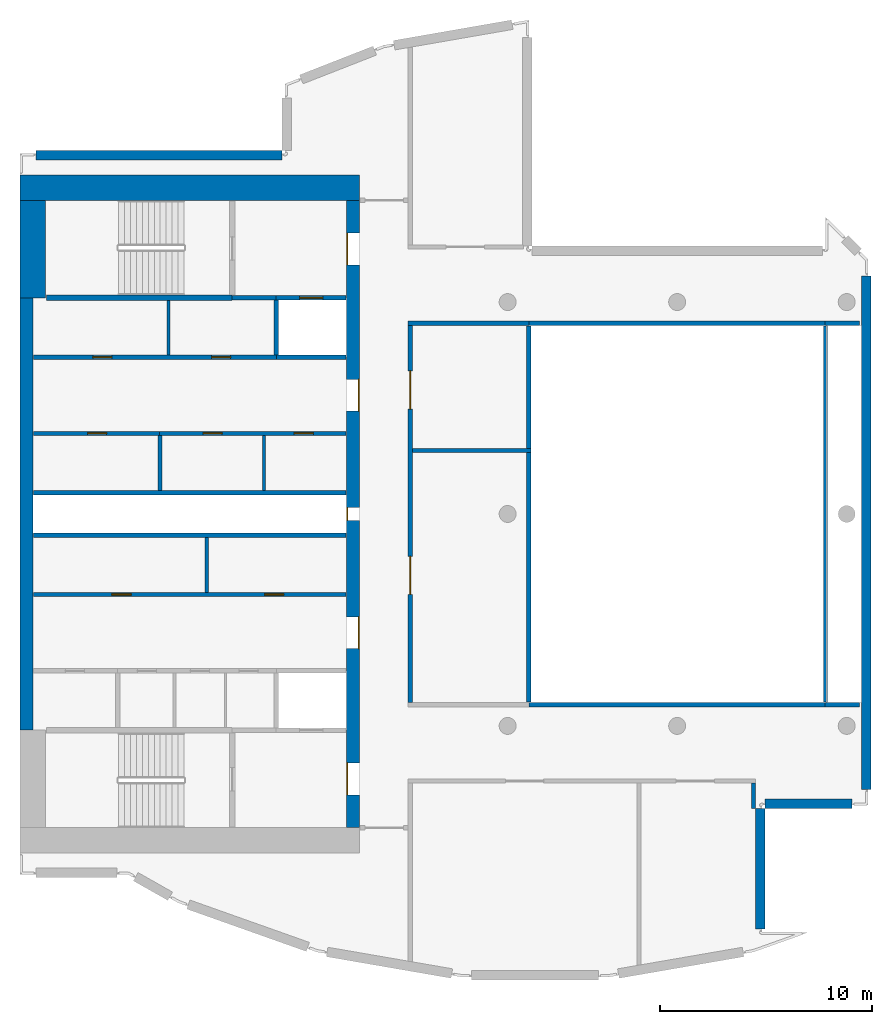
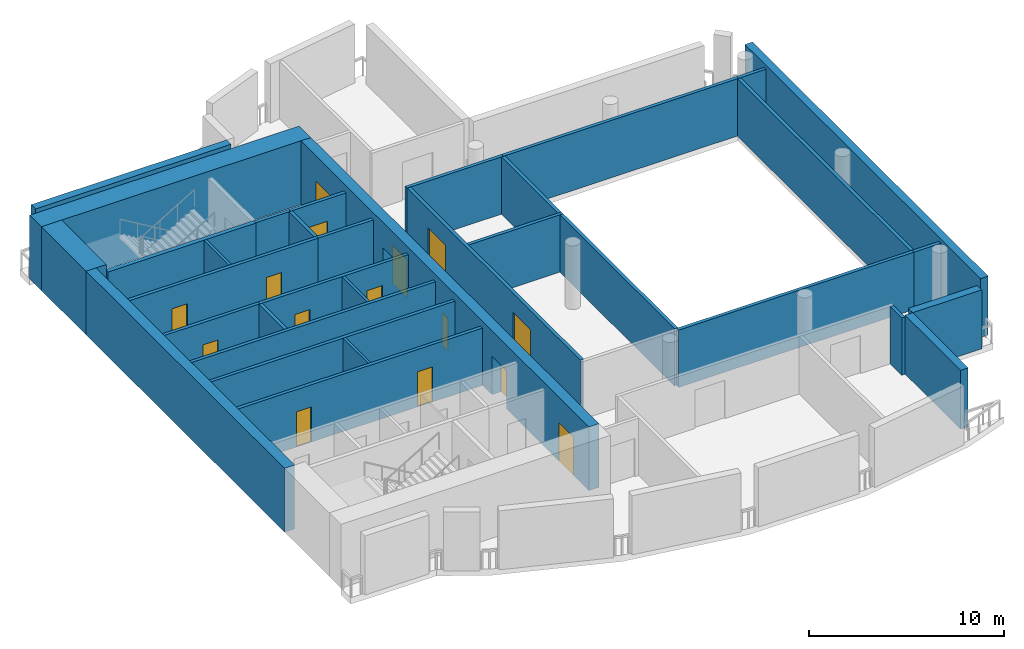
# One storey, part 2 of 8: 34 walls, 15 doors, 15 openings.
"""IFC4 building model written with IfcOpenShell, lengths in metres."""

from ifc_helpers import new_model, si_unit, direction, frame, frame_2d, origin, place, context, subcontext, project, spatial, rectangle, extrude, material, layer, layer_set, type_object, element, fill, save


model = new_model("IFC4")

# Units and contexts
model_context = context("Model", 3, precision=1e-05, world=origin(), true_north=direction((0.0, 1.0)))
body_context = subcontext(model_context, "Body", "Model", "MODEL_VIEW")
ifc_project = project(units=[si_unit("LENGTHUNIT", "METRE"), si_unit("AREAUNIT", "SQUARE_METRE"), si_unit("VOLUMEUNIT", "CUBIC_METRE"), si_unit("PLANEANGLEUNIT", "RADIAN"), si_unit("MASSUNIT", "GRAM", prefix="KILO")], contexts=[model_context])

# Site, building, storey
site_placement = place(None, origin())
site = spatial("IfcSite", under=ifc_project, at=site_placement, CompositionType="ELEMENT")
building_placement = place(site_placement, origin())
building = spatial("IfcBuilding", under=site, at=building_placement, Name="Cypress Arch Tower", CompositionType="ELEMENT")
storey_placement = place(building_placement, frame((0.0, 0.0, 351.0)))
storey = spatial("IfcBuildingStorey", under=building, at=storey_placement, Name="L80", CompositionType="ELEMENT", Elevation=351.0)

# Walls
ifc_material_1 = material(Name="Brick (red buff blend)", Category="masonry")
ifc_layer_1 = layer(ifc_material_1, 0.449951171875)
ifc_layer_set_1 = layer_set([ifc_layer_1], Name="Brick belt wall BW450-B")
wall_type_1 = type_object("IfcWallType", Name="Brick belt wall BW450-B", PredefinedType="SOLIDWALL", material=ifc_layer_set_1)
wall_1_placement = place(storey_placement, frame((4.925048828125, -19.590087890625, 0.0), z_axis=(0.0, 0.0, 1.0), x_axis=(0.0, 1.0, 0.0)))
element("IfcWall", 1, at=wall_1_placement, inside=storey, type_object=wall_type_1, Name="Brick wall L80 K08.0", PredefinedType="SOLIDWALL", context=body_context, shape_type="SweptSolid", body=[
    extrude(rectangle(XDim=5.7001953125, YDim=0.449951171875, at=frame_2d((2.85009765625, 0.0))), origin(), (0.0, 0.0, 1.0), 3.699951171875),
])
wall_2_placement = place(storey_placement, frame((5.14990234375, -13.6650390625, 0.0), z_axis=(0.0, 0.0, 1.0), x_axis=(1.0, 0.0, 0.0)))
element("IfcWall", 2, at=wall_2_placement, inside=storey, type_object=wall_type_1, Name="Brick wall L80 K09.0", PredefinedType="SOLIDWALL", context=body_context, shape_type="SweptSolid", body=[
    extrude(rectangle(XDim=4.10009765625, YDim=0.449951171875, at=frame_2d((2.050048828125, 0.0))), origin(), (0.0, 0.0, 1.0), 3.699951171875),
])
wall_3_placement = place(storey_placement, frame((9.925048828125, -12.989990234375, 0.0), z_axis=(0.0, 0.0, 1.0), x_axis=(0.0, 1.0, 0.0)))
element("IfcWall", 3, at=wall_3_placement, inside=storey, type_object=wall_type_1, Name="Brick wall L80 K10.0", PredefinedType="SOLIDWALL", context=body_context, shape_type="SweptSolid", body=[
    extrude(rectangle(XDim=24.229248046875, YDim=0.449951171875, at=frame_2d((12.11474609375, 0.0))), origin(), (0.0, 0.0, 1.0), 3.699951171875),
])
wall_4_placement = place(storey_placement, frame((-17.64990234375, 16.925048828125, 0.0), z_axis=(0.0, 0.0, 1.0), x_axis=(-1.0, 0.0, 0.0)))
element("IfcWall", 4, at=wall_4_placement, inside=storey, type_object=wall_type_1, Name="Brick wall L80 K18.0", PredefinedType="SOLIDWALL", context=body_context, shape_type="SweptSolid", body=[
    extrude(rectangle(XDim=11.60009765625, YDim=0.449951171875, at=frame_2d((5.800048828125, 0.0))), origin(), (0.0, 0.0, 1.0), 3.699951171875),
])
ifc_material_2 = material(Name="Concrete C50/60", Category="concrete")
ifc_layer_2 = layer(ifc_material_2, 1.199951171875)
ifc_layer_set_2 = layer_set([ifc_layer_2], Name="Core wall CW1200 C50/60")
wall_type_2 = type_object("IfcWallType", Name="Core wall CW1200 C50/60", PredefinedType="SHEAR", material=ifc_layer_set_2)
wall_5_placement = place(storey_placement, frame((-30.0, 15.39990234375, 0.0), z_axis=(0.0, 0.0, 1.0), x_axis=(1.0, 0.0, 0.0)))
element("IfcWall", 5, at=wall_5_placement, inside=storey, type_object=wall_type_2, Name="Core wall", PredefinedType="SHEAR", context=body_context, shape_type="SweptSolid", body=[
    extrude(rectangle(XDim=16.0, YDim=1.199951171875, at=frame_2d((8.0, 0.0))), origin(), (0.0, 0.0, 1.0), 4.0),
])
wall_6_placement = place(storey_placement, frame((-29.39990234375, 10.199951171875, 0.0), z_axis=(0.0, 0.0, 1.0), x_axis=(0.0, 1.0, 0.0)))
element("IfcWall", 6, at=wall_6_placement, inside=storey, type_object=wall_type_2, Name="Core wall", PredefinedType="SHEAR", context=body_context, shape_type="SweptSolid", body=[
    extrude(rectangle(XDim=4.60009765625, YDim=1.199951171875, at=frame_2d((2.300048828125, 0.0))), origin(), (0.0, 0.0, 1.0), 4.0),
])

# Wall, openings, doors
ifc_material_3 = material(Name="Concrete C50/60", Category="concrete")
ifc_layer_3 = layer(ifc_material_3, 0.60009765625)
ifc_layer_set_3 = layer_set([ifc_layer_3], Name="Core wall CW600 C50/60")
wall_type_3 = type_object("IfcWallType", Name="Core wall CW600 C50/60", PredefinedType="SHEAR", material=ifc_layer_set_3)
wall_7_placement = place(storey_placement, frame((-14.300048828125, -14.800048828125, 0.0), z_axis=(0.0, 0.0, 1.0), x_axis=(0.0, 1.0, 0.0)))
wall_7 = element("IfcWall", 7, at=wall_7_placement, inside=storey, type_object=wall_type_3, Name="Core wall", PredefinedType="SHEAR", context=body_context, shape_type="SweptSolid", body=[
    extrude(rectangle(XDim=29.60009765625, YDim=0.60009765625, at=frame_2d((14.800048828125, 0.0))), origin(), (0.0, 0.0, 1.0), 4.0),
])
opening_1_placement = place(wall_7_placement, frame((1.550048828125, 0.0, 0.0)))
opening_1 = element("IfcOpeningElement", 8, at=opening_1_placement, cuts=wall_7, Name="Opening D07", PredefinedType="OPENING", context=body_context, shape_type="SweptSolid", body=[
    extrude(rectangle(XDim=1.5, YDim=2.39990234375, at=frame_2d((0.75, 1.199951171875))), frame((0.0, 0.31005859375, 0.0), z_axis=(0.0, -1.0, 0.0), x_axis=(1.0, 0.0, 0.0)), (0.0, 0.0, 1.0), 0.6201171875),
])
opening_2_placement = place(wall_7_placement, frame((26.550048828125, 0.0, 0.0)))
opening_2 = element("IfcOpeningElement", 9, at=opening_2_placement, cuts=wall_7, Name="Opening D07", PredefinedType="OPENING", context=body_context, shape_type="SweptSolid", body=[
    extrude(rectangle(XDim=1.5, YDim=2.39990234375, at=frame_2d((0.75, 1.199951171875))), frame((0.0, 0.31005859375, 0.0), z_axis=(0.0, -1.0, 0.0), x_axis=(1.0, 0.0, 0.0)), (0.0, 0.0, 1.0), 0.6201171875),
])
opening_3_placement = place(wall_7_placement, frame((8.449951171875, 0.0, 0.0)))
opening_3 = element("IfcOpeningElement", 10, at=opening_3_placement, cuts=wall_7, Name="Opening D07", PredefinedType="OPENING", context=body_context, shape_type="SweptSolid", body=[
    extrude(rectangle(XDim=1.5, YDim=2.39990234375, at=frame_2d((0.75, 1.199951171875))), frame((0.0, 0.31005859375, 0.0), z_axis=(0.0, -1.0, 0.0), x_axis=(1.0, 0.0, 0.0)), (0.0, 0.0, 1.0), 0.6201171875),
])
opening_4_placement = place(wall_7_placement, frame((19.64990234375, 0.0, 0.0)))
opening_4 = element("IfcOpeningElement", 11, at=opening_4_placement, cuts=wall_7, Name="Opening D07", PredefinedType="OPENING", context=body_context, shape_type="SweptSolid", body=[
    extrude(rectangle(XDim=1.5, YDim=2.39990234375, at=frame_2d((0.75, 1.199951171875))), frame((0.0, 0.31005859375, 0.0), z_axis=(0.0, -1.0, 0.0), x_axis=(1.0, 0.0, 0.0)), (0.0, 0.0, 1.0), 0.6201171875),
])
opening_5_placement = place(wall_7_placement, frame((14.5, 0.0, 0.0)))
opening_5 = element("IfcOpeningElement", 12, at=opening_5_placement, cuts=wall_7, Name="Opening D08", PredefinedType="OPENING", context=body_context, shape_type="SweptSolid", body=[
    extrude(rectangle(XDim=0.60009765625, YDim=2.0, at=frame_2d((0.300048828125, 1.0))), frame((0.0, 0.31005859375, 0.0), z_axis=(0.0, -1.0, 0.0), x_axis=(1.0, 0.0, 0.0)), (0.0, 0.0, 1.0), 0.6201171875),
])
ifc_material_4 = material(Name="Steel framed glazed door, fire resisting", Category="steel")
door_type_1 = type_object("IfcDoorType", Name="Lobby door D07 1500x2400", OperationType="DOUBLE_DOOR_SINGLE_SWING", PredefinedType="DOOR", material=ifc_material_4)
door_1_placement = place(opening_1_placement, origin())
door_1 = element("IfcDoor", 13, at=door_1_placement, inside=storey, type_object=door_type_1, Name="Lobby door", OperationType="DOUBLE_DOOR_SINGLE_SWING", OverallHeight=2.39990234375, OverallWidth=1.5, PredefinedType="DOOR", context=body_context, shape_type="SweptSolid", body=[
    extrude(rectangle(XDim=1.5, YDim=2.39990234375, at=frame_2d((0.75, 1.199951171875))), frame((0.0, 0.294921875, 0.0), z_axis=(0.0, -1.0, 0.0), x_axis=(1.0, 0.0, 0.0)), (0.0, 0.0, 1.0), 0.050048828125),
])
fill(opening_1, door_1)
door_2_placement = place(opening_2_placement, origin())
door_2 = element("IfcDoor", 14, at=door_2_placement, inside=storey, type_object=door_type_1, Name="Lobby door", OperationType="DOUBLE_DOOR_SINGLE_SWING", OverallHeight=2.39990234375, OverallWidth=1.5, PredefinedType="DOOR", context=body_context, shape_type="SweptSolid", body=[
    extrude(rectangle(XDim=1.5, YDim=2.39990234375, at=frame_2d((0.75, 1.199951171875))), frame((0.0, 0.294921875, 0.0), z_axis=(0.0, -1.0, 0.0), x_axis=(1.0, 0.0, 0.0)), (0.0, 0.0, 1.0), 0.050048828125),
])
fill(opening_2, door_2)
door_3_placement = place(opening_3_placement, origin())
door_3 = element("IfcDoor", 15, at=door_3_placement, inside=storey, type_object=door_type_1, Name="Lobby door", OperationType="DOUBLE_DOOR_SINGLE_SWING", OverallHeight=2.39990234375, OverallWidth=1.5, PredefinedType="DOOR", context=body_context, shape_type="SweptSolid", body=[
    extrude(rectangle(XDim=1.5, YDim=2.39990234375, at=frame_2d((0.75, 1.199951171875))), frame((0.0, -0.2451171875, 0.0), z_axis=(0.0, -1.0, 0.0), x_axis=(1.0, 0.0, 0.0)), (0.0, 0.0, 1.0), 0.050048828125),
])
fill(opening_3, door_3)
door_4_placement = place(opening_4_placement, origin())
door_4 = element("IfcDoor", 16, at=door_4_placement, inside=storey, type_object=door_type_1, Name="Lobby door", OperationType="DOUBLE_DOOR_SINGLE_SWING", OverallHeight=2.39990234375, OverallWidth=1.5, PredefinedType="DOOR", context=body_context, shape_type="SweptSolid", body=[
    extrude(rectangle(XDim=1.5, YDim=2.39990234375, at=frame_2d((0.75, 1.199951171875))), frame((0.0, -0.2451171875, 0.0), z_axis=(0.0, -1.0, 0.0), x_axis=(1.0, 0.0, 0.0)), (0.0, 0.0, 1.0), 0.050048828125),
])
fill(opening_4, door_4)
ifc_material_5 = material(Name="Steel access door, fire resisting", Category="steel")
door_type_2 = type_object("IfcDoorType", Name="Riser access door D08 600x2000", OperationType="SINGLE_SWING_LEFT", PredefinedType="DOOR", material=ifc_material_5)
door_5_placement = place(opening_5_placement, origin())
door_5 = element("IfcDoor", 17, at=door_5_placement, inside=storey, type_object=door_type_2, Name="Riser access door", OperationType="SINGLE_SWING_RIGHT", OverallHeight=2.0, OverallWidth=0.60009765625, PredefinedType="DOOR", context=body_context, shape_type="SweptSolid", body=[
    extrude(rectangle(XDim=0.60009765625, YDim=2.0, at=frame_2d((0.300048828125, 1.0))), frame((0.0, 0.294921875, 0.0), z_axis=(0.0, -1.0, 0.0), x_axis=(1.0, 0.0, 0.0)), (0.0, 0.0, 1.0), 0.050048828125),
])
fill(opening_5, door_5)

# Wall
wall_8_placement = place(storey_placement, frame((-29.699951171875, -10.199951171875, 0.0), z_axis=(0.0, 0.0, 1.0), x_axis=(0.0, 1.0, 0.0)))
element("IfcWall", 18, at=wall_8_placement, inside=storey, type_object=wall_type_3, Name="Core wall", PredefinedType="SHEAR", context=body_context, shape_type="SweptSolid", body=[
    extrude(rectangle(XDim=20.39990234375, YDim=0.60009765625, at=frame_2d((10.199951171875, 0.0))), origin(), (0.0, 0.0, 1.0), 4.0),
])

# Wall, openings, doors
ifc_material_6 = material(Name="Concrete blockwork, plastered, rated", Category="masonry")
ifc_layer_4 = layer(ifc_material_6, 0.199951171875)
ifc_layer_set_4 = layer_set([ifc_layer_4], Name="Corridor wall FW200")
wall_type_4 = type_object("IfcWallType", Name="Corridor wall FW200", PredefinedType="PARTITIONING", material=ifc_layer_set_4)
wall_9_placement = place(storey_placement, frame((-29.3701171875, -3.800048828125, 0.0), z_axis=(0.0, 0.0, 1.0), x_axis=(1.0, 0.0, 0.0)))
wall_9 = element("IfcWall", 19, at=wall_9_placement, inside=storey, type_object=wall_type_4, Name="Corridor wall", PredefinedType="PARTITIONING", context=body_context, shape_type="SweptSolid", body=[
    extrude(rectangle(XDim=14.740234375, YDim=0.199951171875, at=frame_2d((7.3701171875, 0.0))), origin(), (0.0, 0.0, 1.0), 3.597900390625),
])
opening_6_placement = place(wall_9_placement, frame((3.699951171875, 0.0, 0.0)))
opening_6 = element("IfcOpeningElement", 20, at=opening_6_placement, cuts=wall_9, Name="Opening D05", PredefinedType="OPENING", context=body_context, shape_type="SweptSolid", body=[
    extrude(rectangle(XDim=0.89990234375, YDim=2.199951171875, at=frame_2d((0.449951171875, 1.10009765625))), frame((0.0, 0.10986328125, 0.0), z_axis=(0.0, -1.0, 0.0), x_axis=(1.0, 0.0, 0.0)), (0.0, 0.0, 1.0), 0.219970703125),
])
opening_7_placement = place(wall_9_placement, frame((10.89990234375, 0.0, 0.0)))
opening_7 = element("IfcOpeningElement", 21, at=opening_7_placement, cuts=wall_9, Name="Opening D05", PredefinedType="OPENING", context=body_context, shape_type="SweptSolid", body=[
    extrude(rectangle(XDim=0.89990234375, YDim=2.199951171875, at=frame_2d((0.449951171875, 1.10009765625))), frame((0.0, 0.10986328125, 0.0), z_axis=(0.0, -1.0, 0.0), x_axis=(1.0, 0.0, 0.0)), (0.0, 0.0, 1.0), 0.219970703125),
])
ifc_material_7 = material(Name="Timber flush door", Category="wood")
door_type_3 = type_object("IfcDoorType", Name="Service door D05 900x2200", OperationType="SINGLE_SWING_LEFT", PredefinedType="DOOR", material=ifc_material_7)
door_6_placement = place(opening_6_placement, origin())
door_6 = element("IfcDoor", 22, at=door_6_placement, inside=storey, type_object=door_type_3, Name="Service door", OperationType="SINGLE_SWING_LEFT", OverallHeight=2.199951171875, OverallWidth=0.89990234375, PredefinedType="DOOR", context=body_context, shape_type="SweptSolid", body=[
    extrude(rectangle(XDim=0.89990234375, YDim=2.199951171875, at=frame_2d((0.449951171875, 1.10009765625))), frame((0.0, 0.02490234375, 0.0), z_axis=(0.0, -1.0, 0.0), x_axis=(1.0, 0.0, 0.0)), (0.0, 0.0, 1.0), 0.050048828125),
])
fill(opening_6, door_6)
door_7_placement = place(opening_7_placement, origin())
door_7 = element("IfcDoor", 23, at=door_7_placement, inside=storey, type_object=door_type_3, Name="Service door", OperationType="SINGLE_SWING_LEFT", OverallHeight=2.199951171875, OverallWidth=0.89990234375, PredefinedType="DOOR", context=body_context, shape_type="SweptSolid", body=[
    extrude(rectangle(XDim=0.89990234375, YDim=2.199951171875, at=frame_2d((0.449951171875, 1.10009765625))), frame((0.0, 0.02490234375, 0.0), z_axis=(0.0, -1.0, 0.0), x_axis=(1.0, 0.0, 0.0)), (0.0, 0.0, 1.0), 0.050048828125),
])
fill(opening_7, door_7)

wall_10_placement = place(storey_placement, frame((-29.3701171875, 7.39990234375, 0.0), z_axis=(0.0, 0.0, 1.0), x_axis=(1.0, 0.0, 0.0)))
wall_10 = element("IfcWall", 24, at=wall_10_placement, inside=storey, type_object=wall_type_4, Name="Corridor wall", PredefinedType="PARTITIONING", context=body_context, shape_type="SweptSolid", body=[
    extrude(rectangle(XDim=11.47021484375, YDim=0.199951171875, at=frame_2d((5.735107421875, 0.0))), origin(), (0.0, 0.0, 1.0), 3.597900390625),
])
opening_8_placement = place(wall_10_placement, frame((2.800048828125, 0.0, 0.0)))
opening_8 = element("IfcOpeningElement", 25, at=opening_8_placement, cuts=wall_10, Name="Opening D05", PredefinedType="OPENING", context=body_context, shape_type="SweptSolid", body=[
    extrude(rectangle(XDim=0.89990234375, YDim=2.199951171875, at=frame_2d((0.449951171875, 1.10009765625))), frame((0.0, 0.10986328125, 0.0), z_axis=(0.0, -1.0, 0.0), x_axis=(1.0, 0.0, 0.0)), (0.0, 0.0, 1.0), 0.219970703125),
])
opening_9_placement = place(wall_10_placement, frame((8.39990234375, 0.0, 0.0)))
opening_9 = element("IfcOpeningElement", 26, at=opening_9_placement, cuts=wall_10, Name="Opening D05", PredefinedType="OPENING", context=body_context, shape_type="SweptSolid", body=[
    extrude(rectangle(XDim=0.89990234375, YDim=2.199951171875, at=frame_2d((0.449951171875, 1.10009765625))), frame((0.0, 0.10986328125, 0.0), z_axis=(0.0, -1.0, 0.0), x_axis=(1.0, 0.0, 0.0)), (0.0, 0.0, 1.0), 0.219970703125),
])
door_8_placement = place(opening_8_placement, origin())
door_8 = element("IfcDoor", 27, at=door_8_placement, inside=storey, type_object=door_type_3, Name="Service door", OperationType="SINGLE_SWING_RIGHT", OverallHeight=2.199951171875, OverallWidth=0.89990234375, PredefinedType="DOOR", context=body_context, shape_type="SweptSolid", body=[
    extrude(rectangle(XDim=0.89990234375, YDim=2.199951171875, at=frame_2d((0.449951171875, 1.10009765625))), frame((0.0, 0.02490234375, 0.0), z_axis=(0.0, -1.0, 0.0), x_axis=(1.0, 0.0, 0.0)), (0.0, 0.0, 1.0), 0.050048828125),
])
fill(opening_8, door_8)
door_9_placement = place(opening_9_placement, origin())
door_9 = element("IfcDoor", 28, at=door_9_placement, inside=storey, type_object=door_type_3, Name="Service door", OperationType="SINGLE_SWING_LEFT", OverallHeight=2.199951171875, OverallWidth=0.89990234375, PredefinedType="DOOR", context=body_context, shape_type="SweptSolid", body=[
    extrude(rectangle(XDim=0.89990234375, YDim=2.199951171875, at=frame_2d((0.449951171875, 1.10009765625))), frame((0.0, 0.02490234375, 0.0), z_axis=(0.0, -1.0, 0.0), x_axis=(1.0, 0.0, 0.0)), (0.0, 0.0, 1.0), 0.050048828125),
])
fill(opening_9, door_9)

wall_11_placement = place(storey_placement, frame((-23.419921875, 3.800048828125, 0.0), z_axis=(0.0, 0.0, 1.0), x_axis=(1.0, 0.0, 0.0)))
wall_11 = element("IfcWall", 29, at=wall_11_placement, inside=storey, type_object=wall_type_4, Name="Corridor wall", PredefinedType="PARTITIONING", context=body_context, shape_type="SweptSolid", body=[
    extrude(rectangle(XDim=8.7900390625, YDim=0.199951171875, at=frame_2d((4.39501953125, 0.0))), origin(), (0.0, 0.0, 1.0), 3.597900390625),
])
opening_10_placement = place(wall_11_placement, frame((2.050048828125, 0.0, 0.0)))
opening_10 = element("IfcOpeningElement", 30, at=opening_10_placement, cuts=wall_11, Name="Opening D05", PredefinedType="OPENING", context=body_context, shape_type="SweptSolid", body=[
    extrude(rectangle(XDim=0.89990234375, YDim=2.199951171875, at=frame_2d((0.449951171875, 1.10009765625))), frame((0.0, 0.10986328125, 0.0), z_axis=(0.0, -1.0, 0.0), x_axis=(1.0, 0.0, 0.0)), (0.0, 0.0, 1.0), 0.219970703125),
])
opening_11_placement = place(wall_11_placement, frame((6.35009765625, 0.0, 0.0)))
opening_11 = element("IfcOpeningElement", 31, at=opening_11_placement, cuts=wall_11, Name="Opening D05", PredefinedType="OPENING", context=body_context, shape_type="SweptSolid", body=[
    extrude(rectangle(XDim=0.89990234375, YDim=2.199951171875, at=frame_2d((0.449951171875, 1.10009765625))), frame((0.0, 0.10986328125, 0.0), z_axis=(0.0, -1.0, 0.0), x_axis=(1.0, 0.0, 0.0)), (0.0, 0.0, 1.0), 0.219970703125),
])
door_10_placement = place(opening_10_placement, origin())
door_10 = element("IfcDoor", 32, at=door_10_placement, inside=storey, type_object=door_type_3, Name="Service door", OperationType="SINGLE_SWING_LEFT", OverallHeight=2.199951171875, OverallWidth=0.89990234375, PredefinedType="DOOR", context=body_context, shape_type="SweptSolid", body=[
    extrude(rectangle(XDim=0.89990234375, YDim=2.199951171875, at=frame_2d((0.449951171875, 1.10009765625))), frame((0.0, 0.02490234375, 0.0), z_axis=(0.0, -1.0, 0.0), x_axis=(1.0, 0.0, 0.0)), (0.0, 0.0, 1.0), 0.050048828125),
])
fill(opening_10, door_10)
door_11_placement = place(opening_11_placement, origin())
door_11 = element("IfcDoor", 33, at=door_11_placement, inside=storey, type_object=door_type_3, Name="Service door", OperationType="SINGLE_SWING_RIGHT", OverallHeight=2.199951171875, OverallWidth=0.89990234375, PredefinedType="DOOR", context=body_context, shape_type="SweptSolid", body=[
    extrude(rectangle(XDim=0.89990234375, YDim=2.199951171875, at=frame_2d((0.449951171875, 1.10009765625))), frame((0.0, 0.02490234375, 0.0), z_axis=(0.0, -1.0, 0.0), x_axis=(1.0, 0.0, 0.0)), (0.0, 0.0, 1.0), 0.050048828125),
])
fill(opening_11, door_11)

# Walls
wall_12_placement = place(storey_placement, frame((-20.0, 10.199951171875, 0.0), z_axis=(0.0, 0.0, 1.0), x_axis=(1.0, 0.0, 0.0)))
element("IfcWall", 34, at=wall_12_placement, inside=storey, type_object=wall_type_4, Name="Corridor wall", PredefinedType="PARTITIONING", context=body_context, shape_type="SweptSolid", body=[
    extrude(rectangle(XDim=2.080078125, YDim=0.199951171875, at=frame_2d((1.0400390625, 0.0))), origin(), (0.0, 0.0, 1.0), 3.597900390625),
])
for number, where, z_axis, x_axis, name in (
    (35, (-5.97998046875, -9.0, 0.0), (0.0, 0.0, 1.0), (1.0, 0.0, 0.0), "Corridor wall"),
    (36, (-5.97998046875, 9.0, 0.0), (0.0, 0.0, 1.0), (1.0, 0.0, 0.0), "Corridor wall"),
):
    element("IfcWall", number, at=place(storey_placement, frame(where, z_axis=z_axis, x_axis=x_axis)), inside=storey, type_object=wall_type_4, Name=name, PredefinedType="PARTITIONING", context=body_context, shape_type="SweptSolid", body=[
        extrude(rectangle(XDim=13.9599609375, YDim=0.199951171875, at=frame_2d((6.97998046875, 0.0))), origin(), (0.0, 0.0, 1.0), 3.597900390625),
    ])
ifc_material_8 = material(Name="Blockwork, plastered both sides", Category="masonry")
ifc_layer_5 = layer(ifc_material_8, 0.14990234375)
ifc_layer_set_5 = layer_set([ifc_layer_5], Name="Partition PW150")
wall_type_5 = type_object("IfcWallType", Name="Partition PW150", PredefinedType="PARTITIONING", material=ifc_layer_set_5)
wall_13_placement = place(storey_placement, frame((-23.0, 7.5, 0.0), z_axis=(0.0, 0.0, 1.0), x_axis=(0.0, 1.0, 0.0)))
element("IfcWall", 37, at=wall_13_placement, inside=storey, type_object=wall_type_5, Name="Partition", PredefinedType="PARTITIONING", context=body_context, shape_type="SweptSolid", body=[
    extrude(rectangle(XDim=2.574951171875, YDim=0.14990234375, at=frame_2d((1.28759765625, 0.0))), origin(), (0.0, 0.0, 1.0), 3.597900390625),
])
for number, where, z_axis, x_axis, name in (
    (38, (-21.199951171875, -3.699951171875, 0.0), (0.0, 0.0, 1.0), (0.0, 1.0, 0.0), "Partition"),
    (39, (-18.5, 1.10009765625, 0.0), (0.0, 0.0, 1.0), (0.0, 1.0, 0.0), "Partition"),
):
    element("IfcWall", number, at=place(storey_placement, frame(where, z_axis=z_axis, x_axis=x_axis)), inside=storey, type_object=wall_type_5, Name=name, PredefinedType="PARTITIONING", context=body_context, shape_type="SweptSolid", body=[
        extrude(rectangle(XDim=2.599853515625, YDim=0.14990234375, at=frame_2d((1.2998046875, 0.0))), origin(), (0.0, 0.0, 1.0), 3.597900390625),
    ])
ifc_material_9 = material(Name="Reinforced blockwork, plastered, rated", Category="masonry")
ifc_layer_6 = layer(ifc_material_9, 0.199951171875)
ifc_layer_set_6 = layer_set([ifc_layer_6], Name="Plant and riser wall PL200")
wall_type_6 = type_object("IfcWallType", Name="Plant and riser wall PL200", PredefinedType="PARTITIONING", material=ifc_layer_set_6)
for number, where, z_axis, x_axis, name in (
    (40, (-29.3701171875, -1.0, 0.0), (0.0, 0.0, 1.0), (1.0, 0.0, 0.0), "Plant and riser wall"),
    (41, (-29.3701171875, 1.0, 0.0), (0.0, 0.0, 1.0), (1.0, 0.0, 0.0), "Plant and riser wall"),
):
    element("IfcWall", number, at=place(storey_placement, frame(where, z_axis=z_axis, x_axis=x_axis)), inside=storey, type_object=wall_type_6, Name=name, PredefinedType="PARTITIONING", context=body_context, shape_type="SweptSolid", body=[
        extrude(rectangle(XDim=14.740234375, YDim=0.199951171875, at=frame_2d((7.3701171875, 0.0))), origin(), (0.0, 0.0, 1.0), 3.597900390625),
    ])

# Wall, opening, door
wall_14_placement = place(storey_placement, frame((-29.3701171875, 3.800048828125, 0.0), z_axis=(0.0, 0.0, 1.0), x_axis=(1.0, 0.0, 0.0)))
wall_14 = element("IfcWall", 42, at=wall_14_placement, inside=storey, type_object=wall_type_6, Name="Plant and riser wall", PredefinedType="PARTITIONING", context=body_context, shape_type="SweptSolid", body=[
    extrude(rectangle(XDim=5.9501953125, YDim=0.199951171875, at=frame_2d((2.97509765625, 0.0))), origin(), (0.0, 0.0, 1.0), 3.597900390625),
])
opening_12_placement = place(wall_14_placement, frame((2.550048828125, 0.0, 0.0)))
opening_12 = element("IfcOpeningElement", 43, at=opening_12_placement, cuts=wall_14, Name="Opening D05", PredefinedType="OPENING", context=body_context, shape_type="SweptSolid", body=[
    extrude(rectangle(XDim=0.89990234375, YDim=2.199951171875, at=frame_2d((0.449951171875, 1.10009765625))), frame((0.0, 0.10986328125, 0.0), z_axis=(0.0, -1.0, 0.0), x_axis=(1.0, 0.0, 0.0)), (0.0, 0.0, 1.0), 0.219970703125),
])
door_12_placement = place(opening_12_placement, origin())
door_12 = element("IfcDoor", 44, at=door_12_placement, inside=storey, type_object=door_type_3, Name="Service door", OperationType="SINGLE_SWING_LEFT", OverallHeight=2.199951171875, OverallWidth=0.89990234375, PredefinedType="DOOR", context=body_context, shape_type="SweptSolid", body=[
    extrude(rectangle(XDim=0.89990234375, YDim=2.199951171875, at=frame_2d((0.449951171875, 1.10009765625))), frame((0.0, 0.02490234375, 0.0), z_axis=(0.0, -1.0, 0.0), x_axis=(1.0, 0.0, 0.0)), (0.0, 0.0, 1.0), 0.050048828125),
])
fill(opening_12, door_12)

# Wall
wall_15_placement = place(storey_placement, frame((-23.39990234375, 1.10009765625, 0.0), z_axis=(0.0, 0.0, 1.0), x_axis=(0.0, 1.0, 0.0)))
element("IfcWall", 45, at=wall_15_placement, inside=storey, type_object=wall_type_6, Name="Plant and riser wall", PredefinedType="PARTITIONING", context=body_context, shape_type="SweptSolid", body=[
    extrude(rectangle(XDim=2.599853515625, YDim=0.199951171875, at=frame_2d((1.2998046875, 0.0))), origin(), (0.0, 0.0, 1.0), 3.597900390625),
])

# Wall, openings, doors
wall_16_placement = place(storey_placement, frame((-11.60009765625, -8.89892578125, 0.0), z_axis=(0.0, 0.0, 1.0), x_axis=(0.0, 1.0, 0.0)))
wall_16 = element("IfcWall", 46, at=wall_16_placement, inside=storey, type_object=wall_type_6, Name="Plant and riser wall", PredefinedType="PARTITIONING", context=body_context, shape_type="SweptSolid", body=[
    extrude(rectangle(XDim=17.7978515625, YDim=0.199951171875, at=frame_2d((8.89892578125, 0.0))), origin(), (0.0, 0.0, 1.0), 3.597900390625),
])
opening_13_placement = place(wall_16_placement, frame((5.10009765625, 0.0, 0.0)))
opening_13 = element("IfcOpeningElement", 47, at=opening_13_placement, cuts=wall_16, Name="Opening D09", PredefinedType="OPENING", context=body_context, shape_type="SweptSolid", body=[
    extrude(rectangle(XDim=1.800048828125, YDim=2.39990234375, at=frame_2d((0.89990234375, 1.199951171875))), frame((0.0, 0.10986328125, 0.0), z_axis=(0.0, -1.0, 0.0), x_axis=(1.0, 0.0, 0.0)), (0.0, 0.0, 1.0), 0.219970703125),
])
opening_14_placement = place(wall_16_placement, frame((13.85009765625, 0.0, 0.0)))
opening_14 = element("IfcOpeningElement", 48, at=opening_14_placement, cuts=wall_16, Name="Opening D09", PredefinedType="OPENING", context=body_context, shape_type="SweptSolid", body=[
    extrude(rectangle(XDim=1.800048828125, YDim=2.39990234375, at=frame_2d((0.89990234375, 1.199951171875))), frame((0.0, 0.10986328125, 0.0), z_axis=(0.0, -1.0, 0.0), x_axis=(1.0, 0.0, 0.0)), (0.0, 0.0, 1.0), 0.219970703125),
])
ifc_material_10 = material(Name="Steel door, fire resisting", Category="steel")
door_type_4 = type_object("IfcDoorType", Name="Plant room door D09 1800x2400", OperationType="DOUBLE_DOOR_SINGLE_SWING", PredefinedType="DOOR", material=ifc_material_10)
door_13_placement = place(opening_13_placement, origin())
door_13 = element("IfcDoor", 49, at=door_13_placement, inside=storey, type_object=door_type_4, Name="Plant room door", OperationType="DOUBLE_DOOR_SINGLE_SWING", OverallHeight=2.39990234375, OverallWidth=1.800048828125, PredefinedType="DOOR", context=body_context, shape_type="SweptSolid", body=[
    extrude(rectangle(XDim=1.800048828125, YDim=2.39990234375, at=frame_2d((0.89990234375, 1.199951171875))), frame((0.0, 0.02490234375, 0.0), z_axis=(0.0, -1.0, 0.0), x_axis=(1.0, 0.0, 0.0)), (0.0, 0.0, 1.0), 0.050048828125),
])
fill(opening_13, door_13)
door_14_placement = place(opening_14_placement, origin())
door_14 = element("IfcDoor", 50, at=door_14_placement, inside=storey, type_object=door_type_4, Name="Plant room door", OperationType="DOUBLE_DOOR_SINGLE_SWING", OverallHeight=2.39990234375, OverallWidth=1.800048828125, PredefinedType="DOOR", context=body_context, shape_type="SweptSolid", body=[
    extrude(rectangle(XDim=1.800048828125, YDim=2.39990234375, at=frame_2d((0.89990234375, 1.199951171875))), frame((0.0, 0.02490234375, 0.0), z_axis=(0.0, -1.0, 0.0), x_axis=(1.0, 0.0, 0.0)), (0.0, 0.0, 1.0), 0.050048828125),
])
fill(opening_14, door_14)

# Walls
wall_17_placement = place(storey_placement, frame((-11.5, 3.0, 0.0), z_axis=(0.0, 0.0, 1.0), x_axis=(1.0, 0.0, 0.0)))
element("IfcWall", 51, at=wall_17_placement, inside=storey, type_object=wall_type_6, Name="Plant and riser wall", PredefinedType="PARTITIONING", context=body_context, shape_type="SweptSolid", body=[
    extrude(rectangle(XDim=5.60009765625, YDim=0.199951171875, at=frame_2d((2.800048828125, 0.0))), origin(), (0.0, 0.0, 1.0), 3.597900390625),
])
wall_18_placement = place(storey_placement, frame((-11.698974609375, 9.0, 0.0), z_axis=(0.0, 0.0, 1.0), x_axis=(1.0, 0.0, 0.0)))
element("IfcWall", 52, at=wall_18_placement, inside=storey, type_object=wall_type_6, Name="Plant and riser wall", PredefinedType="PARTITIONING", context=body_context, shape_type="SweptSolid", body=[
    extrude(rectangle(XDim=5.718994140625, YDim=0.199951171875, at=frame_2d((2.859375, 0.0))), origin(), (0.0, 0.0, 1.0), 3.597900390625),
])
wall_19_placement = place(storey_placement, frame((-6.0, -8.8798828125, 0.0), z_axis=(0.0, 0.0, 1.0), x_axis=(0.0, 1.0, 0.0)))
element("IfcWall", 53, at=wall_19_placement, inside=storey, type_object=wall_type_6, Name="Plant and riser wall", PredefinedType="PARTITIONING", context=body_context, shape_type="SweptSolid", body=[
    extrude(rectangle(XDim=11.77978515625, YDim=0.199951171875, at=frame_2d((5.889892578125, 0.0))), origin(), (0.0, 0.0, 1.0), 3.597900390625),
])
wall_20_placement = place(storey_placement, frame((-6.0, 3.02001953125, 0.0), z_axis=(0.0, 0.0, 1.0), x_axis=(0.0, 1.0, 0.0)))
element("IfcWall", 54, at=wall_20_placement, inside=storey, type_object=wall_type_6, Name="Plant and riser wall", PredefinedType="PARTITIONING", context=body_context, shape_type="SweptSolid", body=[
    extrude(rectangle(XDim=5.85986328125, YDim=0.199951171875, at=frame_2d((2.929931640625, 0.0))), origin(), (0.0, 0.0, 1.0), 3.597900390625),
])
wall_21_placement = place(storey_placement, frame((4.60009765625, -13.889892578125, 0.0), z_axis=(0.0, 0.0, 1.0), x_axis=(0.0, 1.0, 0.0)))
element("IfcWall", 55, at=wall_21_placement, inside=storey, type_object=wall_type_6, Name="Plant and riser wall", PredefinedType="PARTITIONING", context=body_context, shape_type="SweptSolid", body=[
    extrude(rectangle(XDim=1.18896484375, YDim=0.199951171875, at=frame_2d((0.594482421875, 0.0))), origin(), (0.0, 0.0, 1.0), 3.597900390625),
])
for number, where, z_axis, x_axis, name in (
    (56, (7.97998046875, -9.0, 0.0), (0.0, 0.0, 1.0), (1.0, 0.0, 0.0), "Plant and riser wall"),
    (57, (7.97998046875, 9.0, 0.0), (0.0, 0.0, 1.0), (1.0, 0.0, 0.0), "Plant and riser wall"),
):
    element("IfcWall", number, at=place(storey_placement, frame(where, z_axis=z_axis, x_axis=x_axis)), inside=storey, type_object=wall_type_6, Name=name, PredefinedType="PARTITIONING", context=body_context, shape_type="SweptSolid", body=[
        extrude(rectangle(XDim=1.619873046875, YDim=0.199951171875, at=frame_2d((0.81005859375, 0.0))), origin(), (0.0, 0.0, 1.0), 3.597900390625),
    ])
wall_22_placement = place(storey_placement, frame((8.0, -8.8798828125, 0.0), z_axis=(0.0, 0.0, 1.0), x_axis=(0.0, 1.0, 0.0)))
element("IfcWall", 58, at=wall_22_placement, inside=storey, type_object=wall_type_6, Name="Plant and riser wall", PredefinedType="PARTITIONING", context=body_context, shape_type="SweptSolid", body=[
    extrude(rectangle(XDim=17.759765625, YDim=0.199951171875, at=frame_2d((8.8798828125, 0.0))), origin(), (0.0, 0.0, 1.0), 3.597900390625),
])
ifc_material_11 = material(Name="Concrete C50/60", Category="concrete")
ifc_layer_7 = layer(ifc_material_11, 0.199951171875)
ifc_layer_set_7 = layer_set([ifc_layer_7], Name="Shaft wall SH200")
wall_type_7 = type_object("IfcWallType", Name="Shaft wall SH200", PredefinedType="SHEAR", material=ifc_layer_set_7)
wall_23_placement = place(storey_placement, frame((-17.919921875, 7.5, 0.0), z_axis=(0.0, 0.0, 1.0), x_axis=(0.0, 1.0, 0.0)))
element("IfcWall", 59, at=wall_23_placement, inside=storey, type_object=wall_type_7, Name="Shaft wall", PredefinedType="SHEAR", context=body_context, shape_type="SweptSolid", body=[
    extrude(rectangle(XDim=2.60009765625, YDim=0.199951171875, at=frame_2d((1.300048828125, 0.0))), origin(), (0.0, 0.0, 1.0), 3.597900390625),
])
wall_24_placement = place(storey_placement, frame((-17.89990234375, 7.39990234375, 0.0), z_axis=(0.0, 0.0, 1.0), x_axis=(1.0, 0.0, 0.0)))
element("IfcWall", 60, at=wall_24_placement, inside=storey, type_object=wall_type_7, Name="Shaft wall", PredefinedType="SHEAR", context=body_context, shape_type="SweptSolid", body=[
    extrude(rectangle(XDim=3.27001953125, YDim=0.199951171875, at=frame_2d((1.635009765625, 0.0))), origin(), (0.0, 0.0, 1.0), 3.597900390625),
])

# Wall, opening, door
wall_25_placement = place(storey_placement, frame((-17.919921875, 10.199951171875, 0.0), z_axis=(0.0, 0.0, 1.0), x_axis=(1.0, 0.0, 0.0)))
wall_25 = element("IfcWall", 61, at=wall_25_placement, inside=storey, type_object=wall_type_7, Name="Shaft wall", PredefinedType="SHEAR", context=body_context, shape_type="SweptSolid", body=[
    extrude(rectangle(XDim=3.2900390625, YDim=0.199951171875, at=frame_2d((1.64501953125, 0.0))), origin(), (0.0, 0.0, 1.0), 3.597900390625),
])
opening_15_placement = place(wall_25_placement, frame((1.10009765625, 0.0, 0.0)))
opening_15 = element("IfcOpeningElement", 62, at=opening_15_placement, cuts=wall_25, Name="Opening LD-FL2", PredefinedType="OPENING", context=body_context, shape_type="SweptSolid", body=[
    extrude(rectangle(XDim=1.10009765625, YDim=2.199951171875, at=frame_2d((0.550048828125, 1.10009765625))), frame((0.0, 0.10986328125, 0.0), z_axis=(0.0, -1.0, 0.0), x_axis=(1.0, 0.0, 0.0)), (0.0, 0.0, 1.0), 0.219970703125),
])
ifc_material_12 = material(Name="Stainless steel centre-opening landing door, rated", Category="steel")
door_type_5 = type_object("IfcDoorType", Name="Lift landing door LD 1100x2200", OperationType="DOUBLE_DOOR_SLIDING", PredefinedType="DOOR", material=ifc_material_12)
door_15_placement = place(opening_15_placement, origin())
door_15 = element("IfcDoor", 63, at=door_15_placement, inside=storey, type_object=door_type_5, Name="Lift landing doors FL2", OperationType="DOUBLE_DOOR_SLIDING", OverallHeight=2.199951171875, OverallWidth=1.10009765625, PredefinedType="DOOR", context=body_context, shape_type="SweptSolid", body=[
    extrude(rectangle(XDim=1.10009765625, YDim=2.199951171875, at=frame_2d((0.550048828125, 1.10009765625))), frame((0.0, 0.02490234375, 0.0), z_axis=(0.0, -1.0, 0.0), x_axis=(1.0, 0.0, 0.0)), (0.0, 0.0, 1.0), 0.050048828125),
])
fill(opening_15, door_15)

# Wall
ifc_material_13 = material(Name="Concrete C50/60", Category="concrete")
ifc_layer_8 = layer(ifc_material_13, 0.25)
ifc_layer_set_8 = layer_set([ifc_layer_8], Name="Stair enclosure wall SW250")
wall_type_8 = type_object("IfcWallType", Name="Stair enclosure wall SW250", PredefinedType="SHEAR", material=ifc_layer_set_8)
wall_26_placement = place(storey_placement, frame((-28.77001953125, 10.199951171875, 0.0), z_axis=(0.0, 0.0, 1.0), x_axis=(1.0, 0.0, 0.0)))
element("IfcWall", 64, at=wall_26_placement, inside=storey, type_object=wall_type_8, Name="Stair enclosure wall", PredefinedType="SHEAR", context=body_context, shape_type="SweptSolid", body=[
    extrude(rectangle(XDim=8.77001953125, YDim=0.25, at=frame_2d((4.385009765625, 0.0))), origin(), (0.0, 0.0, 1.0), 3.597900390625),
])

save(model, "model.ifc")
